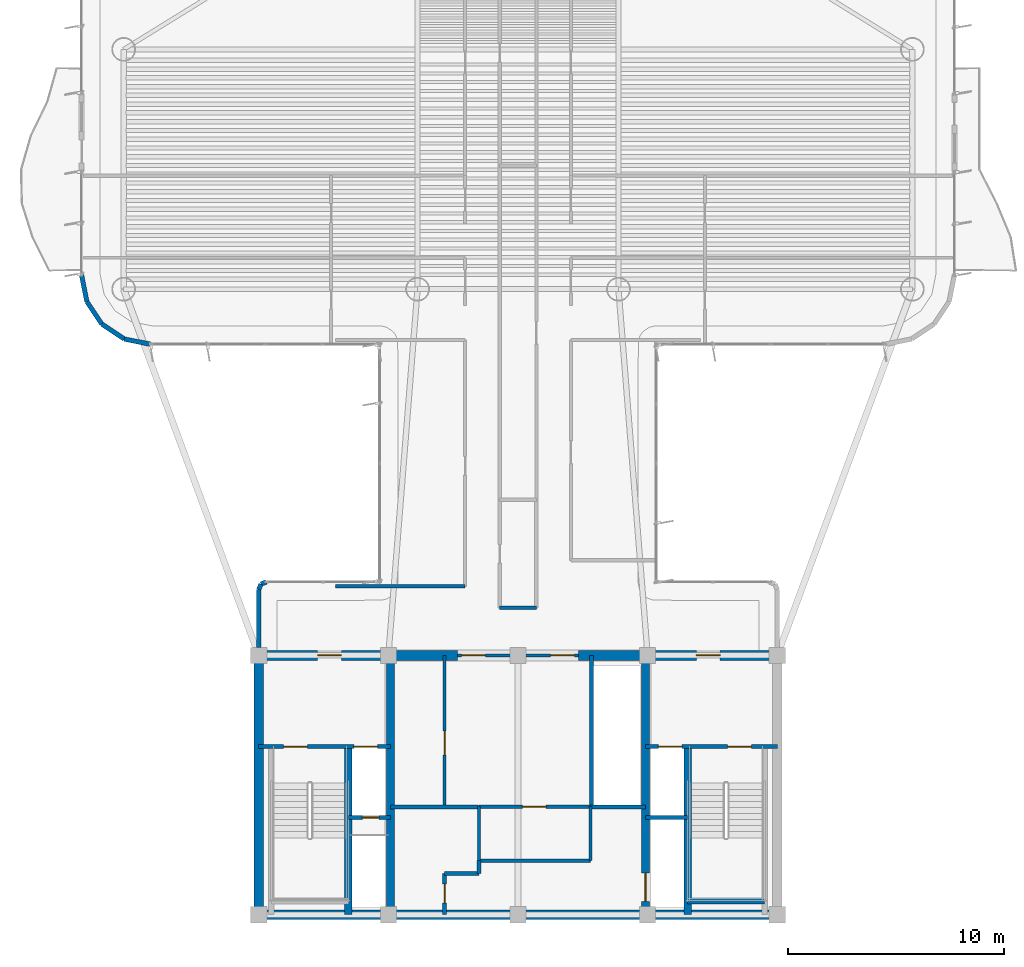
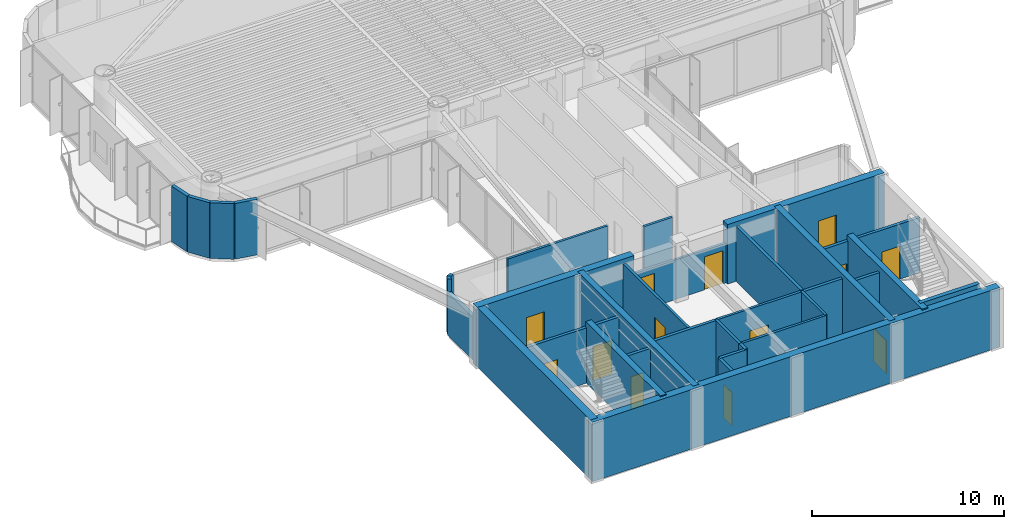
# One storey, part 9 of 14: 34 walls, 13 doors, 13 openings.
"""IFC4 building model written with IfcOpenShell, lengths in metres."""

from ifc_helpers import new_model, si_unit, direction, frame, frame_2d, origin, origin_2d, place, context, subcontext, project, spatial, rectangle, extrude, source, transform, mapped, material, layer, layer_set, type_object, element, fill, save


model = new_model("IFC4")

# Units and contexts
model_context = context("Model", 3, precision=1e-05, world=origin(), true_north=direction((0.0, 1.0)))
body_context = subcontext(model_context, "Body", "Model", "MODEL_VIEW")
ifc_project = project(units=[si_unit("LENGTHUNIT", "METRE"), si_unit("AREAUNIT", "SQUARE_METRE"), si_unit("VOLUMEUNIT", "CUBIC_METRE"), si_unit("PLANEANGLEUNIT", "RADIAN"), si_unit("MASSUNIT", "GRAM", prefix="KILO")], contexts=[model_context])

# Site, building, storey
site_placement = place(None, origin())
site = spatial("IfcSite", under=ifc_project, at=site_placement, CompositionType="ELEMENT")
building_placement = place(site_placement, origin())
building = spatial("IfcBuilding", under=site, at=building_placement, Name="Brelvock Crest Care Tower", CompositionType="ELEMENT")
storey_placement = place(building_placement, frame((0.0, 0.0, 175.320068359375)))
storey = spatial("IfcBuildingStorey", under=building, at=storey_placement, Name="L44", CompositionType="ELEMENT", Elevation=175.320068359375)

# Walls
ifc_material_1 = material(Name="Concrete S65 (65 MPa)", Category="concrete")
ifc_layer_1 = layer(ifc_material_1, 0.449951171875, Name="WL-CS3")
ifc_layer_set_1 = layer_set([ifc_layer_1], Name="Concrete S65 (65 MPa)")
wall_type_1 = type_object("IfcWallType", Name="WL-CS3", PredefinedType="SHEAR", material=ifc_layer_set_1)
wall_1_placement = place(storey_placement, frame((48.22509765625, 6.0, 0.0), z_axis=(0.0, 0.0, 1.0), x_axis=(-1.0, 0.0, 0.0)))
element("IfcWall", 1, at=wall_1_placement, inside=storey, type_object=wall_type_1, Name="L44 Core South Shear Wall", PredefinedType="SHEAR", context=body_context, shape_type="SweptSolid", body=[
    extrude(rectangle(XDim=24.4501953125, YDim=0.449951171875, at=frame_2d((12.22509765625, 0.0))), origin(), (0.0, 0.0, 1.0), 3.780029296875),
])
wall_2_placement = place(storey_placement, frame((24.0, 6.0, 0.0), z_axis=(0.0, 0.0, 1.0), x_axis=(0.0, 1.0, 0.0)))
element("IfcWall", 2, at=wall_2_placement, inside=storey, type_object=wall_type_1, Name="L44 Core West Shear Wall", PredefinedType="SHEAR", context=body_context, shape_type="SweptSolid", body=[
    extrude(rectangle(XDim=12.0, YDim=0.449951171875, at=frame_2d((6.0, 0.0))), origin(), (0.0, 0.0, 1.0), 3.780029296875),
])

# Wall, opening, door
wall_3_placement = place(storey_placement, frame((23.77490234375, 18.0, 0.0), z_axis=(0.0, 0.0, 1.0), x_axis=(1.0, 0.0, 0.0)))
wall_3 = element("IfcWall", 3, at=wall_3_placement, inside=storey, type_object=wall_type_1, Name="L44 Core North-West Shear Wall", PredefinedType="SHEAR", context=body_context, shape_type="SweptSolid", body=[
    extrude(rectangle(XDim=9.425048828125, YDim=0.449951171875, at=frame_2d((4.71240234375, 0.0))), origin(), (0.0, 0.0, 1.0), 3.780029296875),
])
opening_1_placement = place(wall_3_placement, frame((2.949951171875, 0.0, 0.0)))
opening_1 = element("IfcOpeningElement", 4, at=opening_1_placement, cuts=wall_3, Name="Opening FD-1", PredefinedType="OPENING", context=body_context, shape_type="SweptSolid", body=[
    extrude(rectangle(XDim=1.10009765625, YDim=2.10009765625, at=origin_2d()), frame((0.550048828125, 0.23486328125, 1.050048828125), z_axis=(0.0, -1.0, 0.0), x_axis=(1.0, 0.0, 0.0)), (0.0, 0.0, 1.0), 0.469970703125),
])
ifc_material_2 = material(Name="Steel Grade 350", Category="steel")
door_type_1 = type_object("IfcDoorType", Name="DR-FFL1", OperationType="NOTDEFINED", PredefinedType="DOOR", material=ifc_material_2)
shared_shape_1 = source(origin(), body_context, "Body", "SweptSolid", [
    extrude(rectangle(XDim=1.10009765625, YDim=2.10009765625, at=origin_2d()), frame((0.550048828125, 0.02490234375, 1.050048828125), z_axis=(0.0, -1.0, 0.0), x_axis=(1.0, 0.0, 0.0)), (0.0, 0.0, 1.0), 0.050048828125),
])
door_1_placement = place(opening_1_placement, origin())
door_1 = element("IfcDoor", 5, at=door_1_placement, inside=storey, type_object=door_type_1, Name="L44 Firefighting Lobby FFL-1 Exit Door", OperationType="SINGLE_SWING_LEFT", OverallHeight=2.10009765625, OverallWidth=1.10009765625, PredefinedType="DOOR", context=body_context, shape_type="MappedRepresentation", body=[
    mapped(shared_shape_1, transform((0.0, 0.0, 0.0), x_axis=(1.0, 0.0, 0.0), y_axis=(0.0, 1.0, 0.0), z_axis=(0.0, 0.0, 1.0), scale=1.0)),
])
fill(opening_1, door_1)

wall_4_placement = place(storey_placement, frame((38.800048828125, 18.0, 0.0), z_axis=(0.0, 0.0, 1.0), x_axis=(1.0, 0.0, 0.0)))
wall_4 = element("IfcWall", 6, at=wall_4_placement, inside=storey, type_object=wall_type_1, Name="L44 Core North-East Shear Wall", PredefinedType="SHEAR", context=body_context, shape_type="SweptSolid", body=[
    extrude(rectangle(XDim=9.425048828125, YDim=0.449951171875, at=frame_2d((4.71240234375, 0.0))), origin(), (0.0, 0.0, 1.0), 3.780029296875),
])
opening_2_placement = place(wall_4_placement, frame((5.449951171875, 0.0, 0.0)))
opening_2 = element("IfcOpeningElement", 7, at=opening_2_placement, cuts=wall_4, Name="Opening FD-1", PredefinedType="OPENING", context=body_context, shape_type="SweptSolid", body=[
    extrude(rectangle(XDim=1.10009765625, YDim=2.10009765625, at=origin_2d()), frame((0.550048828125, 0.23486328125, 1.050048828125), z_axis=(0.0, -1.0, 0.0), x_axis=(1.0, 0.0, 0.0)), (0.0, 0.0, 1.0), 0.469970703125),
])
door_2_placement = place(opening_2_placement, origin())
door_2 = element("IfcDoor", 8, at=door_2_placement, inside=storey, type_object=door_type_1, Name="L44 Firefighting Lobby FFL-2 Exit Door", OperationType="SINGLE_SWING_RIGHT", OverallHeight=2.10009765625, OverallWidth=1.10009765625, PredefinedType="DOOR", context=body_context, shape_type="MappedRepresentation", body=[
    mapped(shared_shape_1, transform((0.0, 0.0, 0.0), x_axis=(1.0, 0.0, 0.0), y_axis=(0.0, 1.0, 0.0), z_axis=(0.0, 0.0, 1.0), scale=1.0)),
])
fill(opening_2, door_2)

# Wall
ifc_material_3 = material(Name="Concrete S80 (80 MPa)", Category="concrete")
ifc_layer_2 = layer(ifc_material_3, 0.35009765625, Name="WL-CS5")
ifc_layer_set_2 = layer_set([ifc_layer_2], Name="Concrete S80 (80 MPa)")
wall_type_2 = type_object("IfcWallType", Name="WL-CS5", PredefinedType="SHEAR", material=ifc_layer_set_2)
wall_5_placement = place(storey_placement, frame((30.10009765625, 6.0, 0.0), z_axis=(0.0, 0.0, 1.0), x_axis=(0.0, 1.0, 0.0)))
element("IfcWall", 9, at=wall_5_placement, inside=storey, type_object=wall_type_2, Name="L44 Core Internal Web Wall West", PredefinedType="SHEAR", context=body_context, shape_type="SweptSolid", body=[
    extrude(rectangle(XDim=12.0, YDim=0.35009765625, at=frame_2d((6.0, 0.0))), origin(), (0.0, 0.0, 1.0), 3.780029296875),
])

# Wall, opening, door
wall_6_placement = place(storey_placement, frame((41.89990234375, 18.0, 0.0), z_axis=(0.0, 0.0, 1.0), x_axis=(0.0, -1.0, 0.0)))
wall_6 = element("IfcWall", 10, at=wall_6_placement, inside=storey, type_object=wall_type_2, Name="L44 Core Internal Web Wall East", PredefinedType="SHEAR", context=body_context, shape_type="SweptSolid", body=[
    extrude(rectangle(XDim=12.0, YDim=0.35009765625, at=frame_2d((6.0, 0.0))), origin(), (0.0, 0.0, 1.0), 3.780029296875),
])
opening_3_placement = place(wall_6_placement, frame((10.080078125, 0.0, 0.0)))
opening_3 = element("IfcOpeningElement", 11, at=opening_3_placement, cuts=wall_6, Name="Opening LD-S", PredefinedType="OPENING", context=body_context, shape_type="SweptSolid", body=[
    extrude(rectangle(XDim=1.300048828125, YDim=2.10009765625, at=origin_2d()), frame((0.64990234375, 0.18505859375, 1.050048828125), z_axis=(0.0, -1.0, 0.0), x_axis=(1.0, 0.0, 0.0)), (0.0, 0.0, 1.0), 0.3701171875),
])
door_type_2 = type_object("IfcDoorType", Name="DR-LDS1", OperationType="NOTDEFINED", PredefinedType="DOOR", material=ifc_material_2)
shared_shape_2 = source(origin(), body_context, "Body", "SweptSolid", [
    extrude(rectangle(XDim=1.300048828125, YDim=2.10009765625, at=origin_2d()), frame((0.64990234375, 0.02490234375, 1.050048828125), z_axis=(0.0, -1.0, 0.0), x_axis=(1.0, 0.0, 0.0)), (0.0, 0.0, 1.0), 0.050048828125),
])
door_3_placement = place(opening_3_placement, origin())
door_3 = element("IfcDoor", 12, at=door_3_placement, inside=storey, type_object=door_type_2, Name="L44 Clinical Bed Lift SL-1 Landing Door", OperationType="SLIDING_TO_LEFT", OverallHeight=2.10009765625, OverallWidth=1.300048828125, PredefinedType="DOOR", context=body_context, shape_type="MappedRepresentation", body=[
    mapped(shared_shape_2, transform((0.0, 0.0, 0.0), x_axis=(1.0, 0.0, 0.0), y_axis=(0.0, 1.0, 0.0), z_axis=(0.0, 0.0, 1.0), scale=1.0)),
])
fill(opening_3, door_3)

# Walls
for number, where, z_axis, x_axis, name in (
    (13, (28.14990234375, 6.0, 0.0), (0.0, 0.0, 1.0), (0.0, 1.0, 0.0), "L44 Core Stair ST-1 East Shear Wall"),
    (14, (43.85009765625, 6.0, 0.0), (0.0, 0.0, 1.0), (0.0, 1.0, 0.0), "L44 Core Stair ST-2 West Shear Wall"),
):
    element("IfcWall", number, at=place(storey_placement, frame(where, z_axis=z_axis, x_axis=x_axis)), inside=storey, type_object=wall_type_2, Name=name, PredefinedType="SHEAR", context=body_context, shape_type="SweptSolid", body=[
        extrude(rectangle(XDim=7.780029296875, YDim=0.35009765625, at=frame_2d((3.89013671875, 0.0))), origin(), (0.0, 0.0, 1.0), 3.849853515625),
    ])
ifc_layer_3 = layer(ifc_material_3, 0.25, Name="WL-CS6")
ifc_layer_set_3 = layer_set([ifc_layer_3], Name="Concrete S80 (80 MPa)")
wall_type_3 = type_object("IfcWallType", Name="WL-CS6", PredefinedType="SHEAR", material=ifc_layer_set_3)
wall_7_placement = place(storey_placement, frame((43.85009765625, 6.6201171875, 0.0), z_axis=(0.0, 0.0, 1.0), x_axis=(1.0, 0.0, 0.0)))
element("IfcWall", 15, at=wall_7_placement, inside=storey, type_object=wall_type_3, Name="L44 Core Stair ST-2 South Shear Wall", PredefinedType="SHEAR", context=body_context, shape_type="SweptSolid", body=[
    extrude(rectangle(XDim=3.56982421875, YDim=0.25, at=frame_2d((1.784912109375, 0.0))), origin(), (0.0, 0.0, 1.0), 3.849853515625),
])
ifc_material_4 = material(Name="Precast concrete N40 (40 MPa)", Category="concrete")
ifc_layer_4 = layer(ifc_material_4, 0.215087890625, Name="WL-EX2")
ifc_layer_set_4 = layer_set([ifc_layer_4], Name="Precast concrete N40 (40 MPa)")
wall_type_4 = type_object("IfcWallType", Name="WL-EX2", PredefinedType="SOLIDWALL", material=ifc_layer_set_4)
wall_8_placement = place(storey_placement, frame((24.0, 18.35498046875, 0.0), z_axis=(0.0, 0.0, 1.0), x_axis=(0.0, 1.0, 0.0)))
element("IfcWall", 16, at=wall_8_placement, inside=storey, type_object=wall_type_4, Name="L44 Rounded Corner Wall 07", PredefinedType="SOLIDWALL", context=body_context, shape_type="SweptSolid", body=[
    extrude(rectangle(XDim=2.695068359375, YDim=0.215087890625, at=frame_2d((1.34765625, 0.0))), origin(), (0.0, 0.0, 1.0), 2.718017578125),
])
wall_9_placement = place(storey_placement, frame((24.0, 21.050048828125, 0.0), z_axis=(0.0, 0.0, 1.0), x_axis=(0.382673670509, 0.923883575944, 0.0)))
element("IfcWall", 17, at=wall_9_placement, inside=storey, type_object=wall_type_4, Name="L44 Rounded Corner Wall 08", PredefinedType="SOLIDWALL", context=body_context, shape_type="SweptSolid", body=[
    extrude(rectangle(XDim=0.26806640625, YDim=0.215087890625, at=frame_2d((0.134033203125, 0.0))), origin(), (0.0, 0.0, 1.0), 3.530029296875),
])
wall_10_placement = place(storey_placement, frame((24.1025390625, 21.297607421875, 0.0), z_axis=(0.0, 0.0, 1.0), x_axis=(0.924205486139, 0.381895560841, 0.0)))
element("IfcWall", 18, at=wall_10_placement, inside=storey, type_object=wall_type_4, Name="L44 Rounded Corner Wall 09", PredefinedType="SOLIDWALL", context=body_context, shape_type="SweptSolid", body=[
    extrude(rectangle(XDim=0.267822265625, YDim=0.215087890625, at=frame_2d((0.1337890625, 0.0))), origin(), (0.0, 0.0, 1.0), 3.530029296875),
])
for number, where, z_axis, x_axis, name in (
    (19, (19.0, 32.39990234375, 0.0), (0.0, 0.0, 1.0), (-0.980775717779, 0.195138390419, 0.0), "L44 Rounded Corner Wall 13"),
    (20, (17.775390625, 32.6435546875, 0.0), (0.0, 0.0, 1.0), (-0.831387912822, 0.555692485475, 0.0), "L44 Rounded Corner Wall 14"),
    (21, (16.7373046875, 33.33740234375, 0.0), (0.0, 0.0, 1.0), (-0.555557312883, 0.831478245117, 0.0), "L44 Rounded Corner Wall 15"),
    (22, (16.043701171875, 34.37548828125, 0.0), (0.0, 0.0, 1.0), (-0.195138390419, 0.980775717779, 0.0), "L44 Rounded Corner Wall 16"),
):
    element("IfcWall", number, at=place(storey_placement, frame(where, z_axis=z_axis, x_axis=x_axis)), inside=storey, type_object=wall_type_4, Name=name, PredefinedType="SOLIDWALL", context=body_context, shape_type="SweptSolid", body=[
        extrude(rectangle(XDim=1.24853515625, YDim=0.215087890625, at=frame_2d((0.624267578125, 0.0))), origin(), (0.0, 0.0, 1.0), 3.530029296875),
    ])

# Wall, opening, door
ifc_material_5 = material(Name="Masonry Blockwork Acoustic Partition", Category="masonry")
ifc_layer_5 = layer(ifc_material_5, 0.14990234375, Name="WL-INT1")
ifc_layer_set_5 = layer_set([ifc_layer_5], Name="Masonry Blockwork Acoustic Partition")
wall_type_5 = type_object("IfcWallType", Name="WL-INT1", PredefinedType="PARTITIONING", material=ifc_layer_set_5)
wall_11_placement = place(storey_placement, frame((32.60009765625, 11.0, 0.0), z_axis=(0.0, 0.0, 1.0), x_axis=(0.0, 1.0, 0.0)))
wall_11 = element("IfcWall", 23, at=wall_11_placement, inside=storey, type_object=wall_type_5, Name="L44 Interior Wall WL-CRCL-E-L44", PredefinedType="PARTITIONING", context=body_context, shape_type="SweptSolid", body=[
    extrude(rectangle(XDim=7.0, YDim=0.14990234375, at=frame_2d((3.5, 0.0))), origin(), (0.0, 0.0, 1.0), 3.5),
])
opening_4_placement = place(wall_11_placement, frame((2.39990234375, 0.0, 0.0)))
opening_4 = element("IfcOpeningElement", 24, at=opening_4_placement, cuts=wall_11, Name="Opening PD-1", PredefinedType="OPENING", context=body_context, shape_type="SweptSolid", body=[
    extrude(rectangle(XDim=1.10009765625, YDim=2.10009765625, at=origin_2d()), frame((0.550048828125, 0.0849609375, 1.050048828125), z_axis=(0.0, -1.0, 0.0), x_axis=(1.0, 0.0, 0.0)), (0.0, 0.0, 1.0), 0.169921875),
])
door_type_3 = type_object("IfcDoorType", Name="DR-PLT1", OperationType="NOTDEFINED", PredefinedType="DOOR", material=ifc_material_2)
shared_shape_3 = source(origin(), body_context, "Body", "SweptSolid", [
    extrude(rectangle(XDim=1.10009765625, YDim=2.10009765625, at=origin_2d()), frame((0.550048828125, 0.02490234375, 1.050048828125), z_axis=(0.0, -1.0, 0.0), x_axis=(1.0, 0.0, 0.0)), (0.0, 0.0, 1.0), 0.050048828125),
])
door_4_placement = place(opening_4_placement, origin())
door_4 = element("IfcDoor", 25, at=door_4_placement, inside=storey, type_object=door_type_3, Name="DR-CRCL1-L44", OperationType="SINGLE_SWING_LEFT", OverallHeight=2.10009765625, OverallWidth=1.10009765625, PredefinedType="DOOR", context=body_context, shape_type="MappedRepresentation", body=[
    mapped(shared_shape_3, transform((0.0, 0.0, 0.0), x_axis=(1.0, 0.0, 0.0), y_axis=(0.0, 1.0, 0.0), z_axis=(0.0, 0.0, 1.0), scale=1.0)),
])
fill(opening_4, door_4)

# Walls
wall_12_placement = place(storey_placement, frame((34.199951171875, 8.5, 0.0), z_axis=(0.0, 0.0, 1.0), x_axis=(1.0, 0.0, 0.0)))
element("IfcWall", 26, at=wall_12_placement, inside=storey, type_object=wall_type_5, Name="L44 Interior Wall WL-CRCM-S-L44", PredefinedType="PARTITIONING", context=body_context, shape_type="SweptSolid", body=[
    extrude(rectangle(XDim=5.150146484375, YDim=0.14990234375, at=frame_2d((2.5751953125, 0.0))), origin(), (0.0, 0.0, 1.0), 3.5),
])
for number, where, z_axis, x_axis, name in (
    (27, (34.199951171875, 8.5, 0.0), (0.0, 0.0, 1.0), (0.0, 1.0, 0.0), "L44 Interior Wall WL-CRCM-W-L44"),
    (28, (39.35009765625, 8.5, 0.0), (0.0, 0.0, 1.0), (0.0, 1.0, 0.0), "L44 Interior Wall WL-CRCM-E-L44"),
):
    element("IfcWall", number, at=place(storey_placement, frame(where, z_axis=z_axis, x_axis=x_axis)), inside=storey, type_object=wall_type_5, Name=name, PredefinedType="PARTITIONING", context=body_context, shape_type="SweptSolid", body=[
        extrude(rectangle(XDim=2.5, YDim=0.14990234375, at=frame_2d((1.25, 0.0))), origin(), (0.0, 0.0, 1.0), 3.5),
    ])

# Wall, opening, door
wall_13_placement = place(storey_placement, frame((34.199951171875, 11.0, 0.0), z_axis=(0.0, 0.0, 1.0), x_axis=(1.0, 0.0, 0.0)))
wall_13 = element("IfcWall", 29, at=wall_13_placement, inside=storey, type_object=wall_type_5, Name="L44 Interior Wall WL-CRCM-N-L44", PredefinedType="PARTITIONING", context=body_context, shape_type="SweptSolid", body=[
    extrude(rectangle(XDim=5.150146484375, YDim=0.14990234375, at=frame_2d((2.5751953125, 0.0))), origin(), (0.0, 0.0, 1.0), 3.5),
])
opening_5_placement = place(wall_13_placement, frame((2.0, 0.0, 0.0)))
opening_5 = element("IfcOpeningElement", 30, at=opening_5_placement, cuts=wall_13, Name="Opening PD-1", PredefinedType="OPENING", context=body_context, shape_type="SweptSolid", body=[
    extrude(rectangle(XDim=1.10009765625, YDim=2.10009765625, at=origin_2d()), frame((0.550048828125, 0.0849609375, 1.050048828125), z_axis=(0.0, -1.0, 0.0), x_axis=(1.0, 0.0, 0.0)), (0.0, 0.0, 1.0), 0.169921875),
])
door_5_placement = place(opening_5_placement, origin())
door_5 = element("IfcDoor", 31, at=door_5_placement, inside=storey, type_object=door_type_3, Name="DR-CRCM1-L44", OperationType="SINGLE_SWING_LEFT", OverallHeight=2.10009765625, OverallWidth=1.10009765625, PredefinedType="DOOR", context=body_context, shape_type="MappedRepresentation", body=[
    mapped(shared_shape_3, transform((0.0, 0.0, 0.0), x_axis=(1.0, 0.0, 0.0), y_axis=(0.0, 1.0, 0.0), z_axis=(0.0, 0.0, 1.0), scale=1.0)),
])
fill(opening_5, door_5)

# Wall, openings, doors
wall_14_placement = place(storey_placement, frame((33.199951171875, 18.0, 0.0), z_axis=(0.0, 0.0, 1.0), x_axis=(1.0, 0.0, 0.0)))
wall_14 = element("IfcWall", 32, at=wall_14_placement, inside=storey, type_object=wall_type_5, Name="L44 Interior Wall WL-CORE-NPORT-L44", PredefinedType="PARTITIONING", context=body_context, shape_type="SweptSolid", body=[
    extrude(rectangle(XDim=5.60009765625, YDim=0.14990234375, at=frame_2d((2.800048828125, 0.0))), origin(), (0.0, 0.0, 1.0), 2.514892578125),
])
opening_6_placement = place(wall_14_placement, frame((0.18994140625, 0.0, 0.0)))
opening_6 = element("IfcOpeningElement", 33, at=opening_6_placement, cuts=wall_14, Name="Opening FD-1", PredefinedType="OPENING", context=body_context, shape_type="SweptSolid", body=[
    extrude(rectangle(XDim=1.10009765625, YDim=2.10009765625, at=origin_2d()), frame((0.550048828125, 0.0849609375, 1.050048828125), z_axis=(0.0, -1.0, 0.0), x_axis=(1.0, 0.0, 0.0)), (0.0, 0.0, 1.0), 0.169921875),
])
opening_7_placement = place(wall_14_placement, frame((4.31005859375, 0.0, 0.0)))
opening_7 = element("IfcOpeningElement", 34, at=opening_7_placement, cuts=wall_14, Name="Opening FD-1", PredefinedType="OPENING", context=body_context, shape_type="SweptSolid", body=[
    extrude(rectangle(XDim=1.10009765625, YDim=2.10009765625, at=origin_2d()), frame((0.550048828125, 0.0849609375, 1.050048828125), z_axis=(0.0, -1.0, 0.0), x_axis=(1.0, 0.0, 0.0)), (0.0, 0.0, 1.0), 0.169921875),
])
door_6_placement = place(opening_6_placement, origin())
door_6 = element("IfcDoor", 35, at=door_6_placement, inside=storey, type_object=door_type_1, Name="L44 Lift Lobby North Smoke Door West", OperationType="SINGLE_SWING_LEFT", OverallHeight=2.10009765625, OverallWidth=1.10009765625, PredefinedType="DOOR", context=body_context, shape_type="MappedRepresentation", body=[
    mapped(shared_shape_1, transform((0.0, 0.0, 0.0), x_axis=(1.0, 0.0, 0.0), y_axis=(0.0, 1.0, 0.0), z_axis=(0.0, 0.0, 1.0), scale=1.0)),
])
fill(opening_6, door_6)
door_7_placement = place(opening_7_placement, origin())
door_7 = element("IfcDoor", 36, at=door_7_placement, inside=storey, type_object=door_type_1, Name="L44 Lift Lobby North Smoke Door East", OperationType="SINGLE_SWING_RIGHT", OverallHeight=2.10009765625, OverallWidth=1.10009765625, PredefinedType="DOOR", context=body_context, shape_type="MappedRepresentation", body=[
    mapped(shared_shape_1, transform((0.0, 0.0, 0.0), x_axis=(1.0, 0.0, 0.0), y_axis=(0.0, 1.0, 0.0), z_axis=(0.0, 0.0, 1.0), scale=1.0)),
])
fill(opening_7, door_7)

# Walls
wall_15_placement = place(storey_placement, frame((27.5576171875, 21.199951171875, 0.0), z_axis=(0.0, 0.0, 1.0), x_axis=(1.0, 0.0, 0.0)))
element("IfcWall", 37, at=wall_15_placement, inside=storey, type_object=wall_type_5, Name="L44 Interior Wall WL-BX-L44-THRW-S", PredefinedType="PARTITIONING", context=body_context, shape_type="SweptSolid", body=[
    extrude(rectangle(XDim=5.992431640625, YDim=0.14990234375, at=frame_2d((2.99609375, 0.0))), origin(), (0.0, 0.0, 1.0), 3.5),
])
ifc_material_6 = material(Name="Gypsum Plasterboard Partition", Category="gypsum")
ifc_layer_6 = layer(ifc_material_6, 0.159912109375, Name="WL-PLM1")
ifc_layer_set_6 = layer_set([ifc_layer_6], Name="Gypsum Plasterboard Partition")
wall_type_6 = type_object("IfcWallType", Name="WL-PLM1", PredefinedType="PLUMBINGWALL", material=ifc_layer_set_6)
wall_16_placement = place(storey_placement, frame((35.14990234375, 20.199951171875, 0.0), z_axis=(0.0, 0.0, 1.0), x_axis=(1.0, 0.0, 0.0)))
element("IfcWall", 38, at=wall_16_placement, inside=storey, type_object=wall_type_6, Name="L44 Interior Wall WL-BX-L44-ISWC-S", PredefinedType="PLUMBINGWALL", context=body_context, shape_type="SweptSolid", body=[
    extrude(rectangle(XDim=1.7001953125, YDim=0.159912109375, at=frame_2d((0.85009765625, 0.0))), origin(), (0.0, 0.0, 1.0), 3.5),
])
ifc_layer_7 = layer(ifc_material_5, 0.179931640625, Name="WL-SHF1")
ifc_layer_set_7 = layer_set([ifc_layer_7], Name="Masonry Blockwork Acoustic Partition")
wall_type_7 = type_object("IfcWallType", Name="WL-SHF1", PredefinedType="PARTITIONING", material=ifc_layer_set_7)
wall_17_placement = place(storey_placement, frame((39.39990234375, 11.0, 0.0), z_axis=(0.0, 0.0, 1.0), x_axis=(0.0, 1.0, 0.0)))
element("IfcWall", 39, at=wall_17_placement, inside=storey, type_object=wall_type_7, Name="L44 Interior Wall WL-PLH-SHF-L44", PredefinedType="PARTITIONING", context=body_context, shape_type="SweptSolid", body=[
    extrude(rectangle(XDim=7.0, YDim=0.179931640625, at=frame_2d((3.5, 0.0))), origin(), (0.0, 0.0, 1.0), 3.5),
])
wall_18_placement = place(storey_placement, frame((30.10009765625, 10.97998046875, 0.0), z_axis=(0.0, 0.0, 1.0), x_axis=(1.0, 0.0, 0.0)))
element("IfcWall", 40, at=wall_18_placement, inside=storey, type_object=wall_type_7, Name="L44 Interior Wall WL-CSBW-N-L44", PredefinedType="PARTITIONING", context=body_context, shape_type="SweptSolid", body=[
    extrude(rectangle(XDim=4.079833984375, YDim=0.179931640625, at=frame_2d((2.0400390625, 0.0))), origin(), (0.0, 0.0, 1.0), 3.5),
])
wall_19_placement = place(storey_placement, frame((34.199951171875, 7.89990234375, 0.0), z_axis=(0.0, 0.0, 1.0), x_axis=(0.0, 1.0, 0.0)))
element("IfcWall", 41, at=wall_19_placement, inside=storey, type_object=wall_type_7, Name="L44 Interior Wall WL-CSBW-E2-L44", PredefinedType="PARTITIONING", context=body_context, shape_type="SweptSolid", body=[
    extrude(rectangle(XDim=0.60009765625, YDim=0.179931640625, at=frame_2d((0.300048828125, 0.0))), origin(), (0.0, 0.0, 1.0), 3.5),
])
wall_20_placement = place(storey_placement, frame((32.60009765625, 7.89990234375, 0.0), z_axis=(0.0, 0.0, 1.0), x_axis=(1.0, 0.0, 0.0)))
element("IfcWall", 42, at=wall_20_placement, inside=storey, type_object=wall_type_7, Name="L44 Interior Wall WL-CSBW-S2-L44", PredefinedType="PARTITIONING", context=body_context, shape_type="SweptSolid", body=[
    extrude(rectangle(XDim=1.599853515625, YDim=0.179931640625, at=frame_2d((0.7998046875, 0.0))), origin(), (0.0, 0.0, 1.0), 3.5),
])

# Wall, opening, door
wall_21_placement = place(storey_placement, frame((32.60009765625, 6.0, 0.0), z_axis=(0.0, 0.0, 1.0), x_axis=(0.0, 1.0, 0.0)))
wall_21 = element("IfcWall", 43, at=wall_21_placement, inside=storey, type_object=wall_type_7, Name="L44 Interior Wall WL-CSBW-E1-L44", PredefinedType="PARTITIONING", context=body_context, shape_type="SweptSolid", body=[
    extrude(rectangle(XDim=1.89990234375, YDim=0.179931640625, at=frame_2d((0.949951171875, 0.0))), origin(), (0.0, 0.0, 1.0), 3.5),
])
opening_8_placement = place(wall_21_placement, frame((0.550048828125, 0.0, 0.0)))
opening_8 = element("IfcOpeningElement", 44, at=opening_8_placement, cuts=wall_21, Name="Opening ID-1", PredefinedType="OPENING", context=body_context, shape_type="SweptSolid", body=[
    extrude(rectangle(XDim=0.860107421875, YDim=2.10009765625, at=origin_2d()), frame((0.43017578125, 0.10009765625, 1.050048828125), z_axis=(0.0, -1.0, 0.0), x_axis=(1.0, 0.0, 0.0)), (0.0, 0.0, 1.0), 0.199951171875),
])
ifc_material_7 = material(Name="Engineered Hardwood Timber", Category="wood")
door_type_4 = type_object("IfcDoorType", Name="DR-INT1", OperationType="NOTDEFINED", PredefinedType="DOOR", material=ifc_material_7)
shared_shape_4 = source(origin(), body_context, "Body", "SweptSolid", [
    extrude(rectangle(XDim=0.860107421875, YDim=2.10009765625, at=origin_2d()), frame((0.43017578125, 0.02490234375, 1.050048828125), z_axis=(0.0, -1.0, 0.0), x_axis=(1.0, 0.0, 0.0)), (0.0, 0.0, 1.0), 0.050048828125),
])
door_8_placement = place(opening_8_placement, origin())
door_8 = element("IfcDoor", 45, at=door_8_placement, inside=storey, type_object=door_type_4, Name="DR-CSBW-L44", OperationType="SINGLE_SWING_LEFT", OverallHeight=2.10009765625, OverallWidth=0.860107421875, PredefinedType="DOOR", context=body_context, shape_type="MappedRepresentation", body=[
    mapped(shared_shape_4, transform((0.0, 0.0, 0.0), x_axis=(1.0, 0.0, 0.0), y_axis=(0.0, 1.0, 0.0), z_axis=(0.0, 0.0, 1.0), scale=1.0)),
])
fill(opening_8, door_8)

# Wall
wall_22_placement = place(storey_placement, frame((39.35009765625, 10.97998046875, 0.0), z_axis=(0.0, 0.0, 1.0), x_axis=(1.0, 0.0, 0.0)))
element("IfcWall", 46, at=wall_22_placement, inside=storey, type_object=wall_type_7, Name="L44 Interior Wall WL-CSBE-N-L44", PredefinedType="PARTITIONING", context=body_context, shape_type="SweptSolid", body=[
    extrude(rectangle(XDim=2.5498046875, YDim=0.179931640625, at=frame_2d((1.27490234375, 0.0))), origin(), (0.0, 0.0, 1.0), 3.5),
])

# Wall, openings, doors
wall_23_placement = place(storey_placement, frame((24.0, 13.780029296875, 0.0), z_axis=(0.0, 0.0, 1.0), x_axis=(1.0, 0.0, 0.0)))
wall_23 = element("IfcWall", 47, at=wall_23_placement, inside=storey, type_object=wall_type_7, Name="L44 Interior Wall WL-ST1-N-L44", PredefinedType="PARTITIONING", context=body_context, shape_type="SweptSolid", body=[
    extrude(rectangle(XDim=6.10009765625, YDim=0.179931640625, at=frame_2d((3.050048828125, 0.0))), origin(), (0.0, 0.0, 1.0), 3.5),
])
opening_9_placement = place(wall_23_placement, frame((1.14990234375, 0.0, 0.0)))
opening_9 = element("IfcOpeningElement", 48, at=opening_9_placement, cuts=wall_23, Name="Opening SD-1", PredefinedType="OPENING", context=body_context, shape_type="SweptSolid", body=[
    extrude(rectangle(XDim=1.10009765625, YDim=2.10009765625, at=origin_2d()), frame((0.550048828125, 0.10009765625, 1.050048828125), z_axis=(0.0, -1.0, 0.0), x_axis=(1.0, 0.0, 0.0)), (0.0, 0.0, 1.0), 0.199951171875),
])
opening_10_placement = place(wall_23_placement, frame((4.39990234375, 0.0, 0.0)))
opening_10 = element("IfcOpeningElement", 49, at=opening_10_placement, cuts=wall_23, Name="Opening LD", PredefinedType="OPENING", context=body_context, shape_type="SweptSolid", body=[
    extrude(rectangle(XDim=1.10009765625, YDim=2.10009765625, at=origin_2d()), frame((0.550048828125, 0.10009765625, 1.050048828125), z_axis=(0.0, -1.0, 0.0), x_axis=(1.0, 0.0, 0.0)), (0.0, 0.0, 1.0), 0.199951171875),
])
door_type_5 = type_object("IfcDoorType", Name="DR-ST1", OperationType="NOTDEFINED", PredefinedType="DOOR", material=ifc_material_2)
shared_shape_5 = source(origin(), body_context, "Body", "SweptSolid", [
    extrude(rectangle(XDim=1.10009765625, YDim=2.10009765625, at=origin_2d()), frame((0.550048828125, 0.02490234375, 1.050048828125), z_axis=(0.0, -1.0, 0.0), x_axis=(1.0, 0.0, 0.0)), (0.0, 0.0, 1.0), 0.050048828125),
])
door_9_placement = place(opening_9_placement, origin())
door_9 = element("IfcDoor", 50, at=door_9_placement, inside=storey, type_object=door_type_5, Name="L44 Fire Stair ST-1 Door", OperationType="SINGLE_SWING_LEFT", OverallHeight=2.10009765625, OverallWidth=1.10009765625, PredefinedType="DOOR", context=body_context, shape_type="MappedRepresentation", body=[
    mapped(shared_shape_5, transform((0.0, 0.0, 0.0), x_axis=(1.0, 0.0, 0.0), y_axis=(0.0, 1.0, 0.0), z_axis=(0.0, 0.0, 1.0), scale=1.0)),
])
fill(opening_9, door_9)
door_type_6 = type_object("IfcDoorType", Name="DR-LD1", OperationType="NOTDEFINED", PredefinedType="DOOR", material=ifc_material_2)
shared_shape_6 = source(origin(), body_context, "Body", "SweptSolid", [
    extrude(rectangle(XDim=1.10009765625, YDim=2.10009765625, at=origin_2d()), frame((0.550048828125, 0.02490234375, 1.050048828125), z_axis=(0.0, -1.0, 0.0), x_axis=(1.0, 0.0, 0.0)), (0.0, 0.0, 1.0), 0.050048828125),
])
door_10_placement = place(opening_10_placement, origin())
door_10 = element("IfcDoor", 51, at=door_10_placement, inside=storey, type_object=door_type_6, Name="L44 Firefighting Lift FFL-1 Landing Door", OperationType="SLIDING_TO_LEFT", OverallHeight=2.10009765625, OverallWidth=1.10009765625, PredefinedType="DOOR", context=body_context, shape_type="MappedRepresentation", body=[
    mapped(shared_shape_6, transform((0.0, 0.0, 0.0), x_axis=(1.0, 0.0, 0.0), y_axis=(0.0, 1.0, 0.0), z_axis=(0.0, 0.0, 1.0), scale=1.0)),
])
fill(opening_10, door_10)

# Wall, opening, door
wall_24_placement = place(storey_placement, frame((28.14990234375, 10.5, 0.0), z_axis=(0.0, 0.0, 1.0), x_axis=(1.0, 0.0, 0.0)))
wall_24 = element("IfcWall", 52, at=wall_24_placement, inside=storey, type_object=wall_type_7, Name="L44 Interior Wall WL-FFH1-S-L44", PredefinedType="PARTITIONING", context=body_context, shape_type="SweptSolid", body=[
    extrude(rectangle(XDim=1.9501953125, YDim=0.179931640625, at=frame_2d((0.97509765625, 0.0))), origin(), (0.0, 0.0, 1.0), 3.5),
])
opening_11_placement = place(wall_24_placement, frame((0.64990234375, 0.0, 0.0)))
opening_11 = element("IfcOpeningElement", 53, at=opening_11_placement, cuts=wall_24, Name="Opening RD-1", PredefinedType="OPENING", context=body_context, shape_type="SweptSolid", body=[
    extrude(rectangle(XDim=0.760009765625, YDim=2.050048828125, at=origin_2d()), frame((0.3798828125, 0.10009765625, 1.02490234375), z_axis=(0.0, -1.0, 0.0), x_axis=(1.0, 0.0, 0.0)), (0.0, 0.0, 1.0), 0.199951171875),
])
door_type_7 = type_object("IfcDoorType", Name="DR-RIS1", OperationType="NOTDEFINED", PredefinedType="DOOR", material=ifc_material_2)
shared_shape_7 = source(origin(), body_context, "Body", "SweptSolid", [
    extrude(rectangle(XDim=0.760009765625, YDim=2.050048828125, at=origin_2d()), frame((0.3798828125, 0.02490234375, 1.02490234375), z_axis=(0.0, -1.0, 0.0), x_axis=(1.0, 0.0, 0.0)), (0.0, 0.0, 1.0), 0.050048828125),
])
door_11_placement = place(opening_11_placement, origin())
door_11 = element("IfcDoor", 54, at=door_11_placement, inside=storey, type_object=door_type_7, Name="L44 Wet Fire Riser Access Door", OperationType="SINGLE_SWING_LEFT", OverallHeight=2.050048828125, OverallWidth=0.760009765625, PredefinedType="DOOR", context=body_context, shape_type="MappedRepresentation", body=[
    mapped(shared_shape_7, transform((0.0, 0.0, 0.0), x_axis=(1.0, 0.0, 0.0), y_axis=(0.0, 1.0, 0.0), z_axis=(0.0, 0.0, 1.0), scale=1.0)),
])
fill(opening_11, door_11)

# Wall, openings, doors
wall_25_placement = place(storey_placement, frame((41.89990234375, 13.780029296875, 0.0), z_axis=(0.0, 0.0, 1.0), x_axis=(1.0, 0.0, 0.0)))
wall_25 = element("IfcWall", 55, at=wall_25_placement, inside=storey, type_object=wall_type_7, Name="L44 Interior Wall WL-ST2-N-L44", PredefinedType="PARTITIONING", context=body_context, shape_type="SweptSolid", body=[
    extrude(rectangle(XDim=6.10009765625, YDim=0.179931640625, at=frame_2d((3.050048828125, 0.0))), origin(), (0.0, 0.0, 1.0), 3.5),
])
opening_12_placement = place(wall_25_placement, frame((0.60009765625, 0.0, 0.0)))
opening_12 = element("IfcOpeningElement", 56, at=opening_12_placement, cuts=wall_25, Name="Opening LD", PredefinedType="OPENING", context=body_context, shape_type="SweptSolid", body=[
    extrude(rectangle(XDim=1.10009765625, YDim=2.10009765625, at=origin_2d()), frame((0.550048828125, 0.10009765625, 1.050048828125), z_axis=(0.0, -1.0, 0.0), x_axis=(1.0, 0.0, 0.0)), (0.0, 0.0, 1.0), 0.199951171875),
])
opening_13_placement = place(wall_25_placement, frame((3.800048828125, 0.0, 0.0)))
opening_13 = element("IfcOpeningElement", 57, at=opening_13_placement, cuts=wall_25, Name="Opening SD-1", PredefinedType="OPENING", context=body_context, shape_type="SweptSolid", body=[
    extrude(rectangle(XDim=1.10009765625, YDim=2.10009765625, at=origin_2d()), frame((0.550048828125, 0.10009765625, 1.050048828125), z_axis=(0.0, -1.0, 0.0), x_axis=(1.0, 0.0, 0.0)), (0.0, 0.0, 1.0), 0.199951171875),
])
door_12_placement = place(opening_13_placement, origin())
door_12 = element("IfcDoor", 58, at=door_12_placement, inside=storey, type_object=door_type_5, Name="L44 Fire Stair ST-2 Door", OperationType="SINGLE_SWING_RIGHT", OverallHeight=2.10009765625, OverallWidth=1.10009765625, PredefinedType="DOOR", context=body_context, shape_type="MappedRepresentation", body=[
    mapped(shared_shape_5, transform((0.0, 0.0, 0.0), x_axis=(1.0, 0.0, 0.0), y_axis=(0.0, 1.0, 0.0), z_axis=(0.0, 0.0, 1.0), scale=1.0)),
])
fill(opening_13, door_12)
door_13_placement = place(opening_12_placement, origin())
door_13 = element("IfcDoor", 59, at=door_13_placement, inside=storey, type_object=door_type_6, Name="L44 Firefighting Lift FFL-2 Landing Door", OperationType="SLIDING_TO_RIGHT", OverallHeight=2.10009765625, OverallWidth=1.10009765625, PredefinedType="DOOR", context=body_context, shape_type="MappedRepresentation", body=[
    mapped(shared_shape_6, transform((0.0, 0.0, 0.0), x_axis=(1.0, 0.0, 0.0), y_axis=(0.0, 1.0, 0.0), z_axis=(0.0, 0.0, 1.0), scale=1.0)),
])
fill(opening_12, door_13)

# Wall
wall_26_placement = place(storey_placement, frame((41.89990234375, 10.5, 0.0), z_axis=(0.0, 0.0, 1.0), x_axis=(1.0, 0.0, 0.0)))
element("IfcWall", 60, at=wall_26_placement, inside=storey, type_object=wall_type_7, Name="L44 Interior Wall WL-FFH2-S-L44", PredefinedType="PARTITIONING", context=body_context, shape_type="SweptSolid", body=[
    extrude(rectangle(XDim=1.9501953125, YDim=0.179931640625, at=frame_2d((0.97509765625, 0.0))), origin(), (0.0, 0.0, 1.0), 3.5),
])

save(model, "model.ifc")
